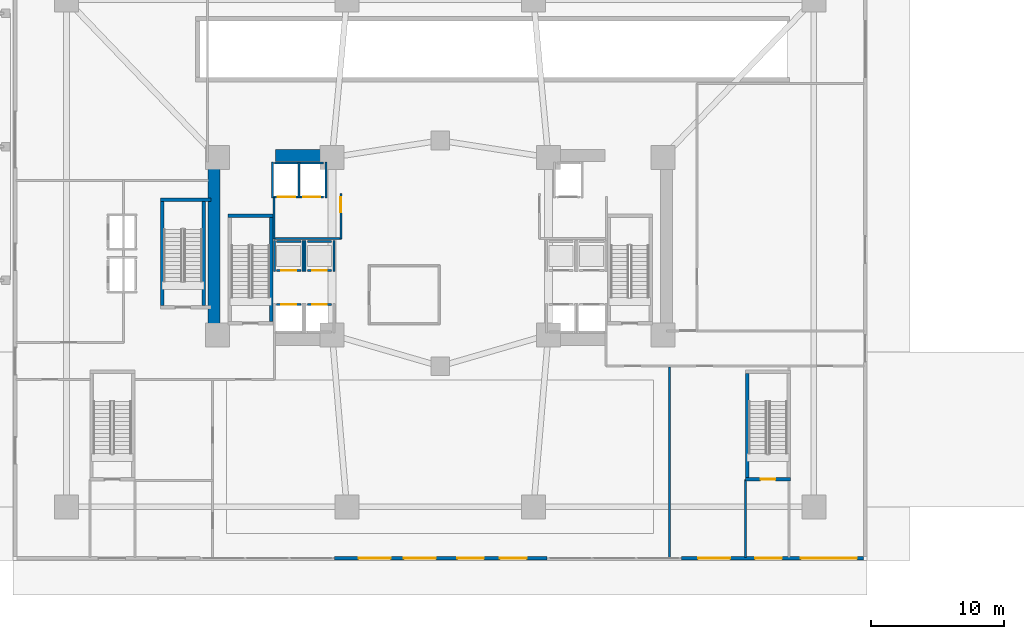
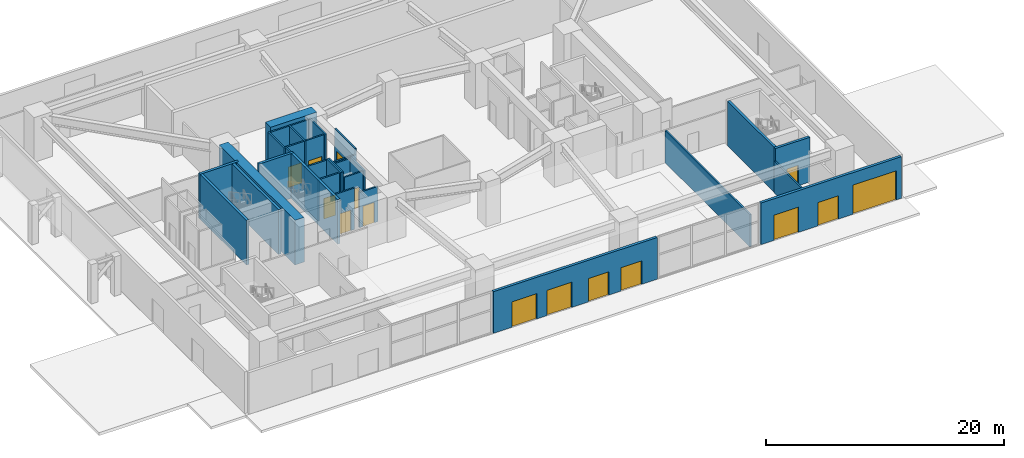
# One storey, part 10 of 18: 33 walls, 15 doors, 15 openings.
"""IFC4 building model written with IfcOpenShell, lengths in metres."""

from ifc_helpers import new_model, si_unit, direction, frame, frame_2d, origin, place, context, subcontext, project, spatial, rectangle, extrude, material, layer, layer_set, type_object, element, fill, save


model = new_model("IFC4")

# Units and contexts
model_context = context("Model", 3, precision=1e-05, world=origin(), true_north=direction((0.0, 1.0)))
body_context = subcontext(model_context, "Body", "Model", "MODEL_VIEW")
ifc_project = project(units=[si_unit("LENGTHUNIT", "METRE"), si_unit("AREAUNIT", "SQUARE_METRE"), si_unit("VOLUMEUNIT", "CUBIC_METRE"), si_unit("PLANEANGLEUNIT", "RADIAN"), si_unit("MASSUNIT", "GRAM", prefix="KILO")], contexts=[model_context])

# Site, building, storey
site_placement = place(None, origin())
site = spatial("IfcSite", under=ifc_project, at=site_placement, CompositionType="ELEMENT")
building_placement = place(site_placement, origin())
building = spatial("IfcBuilding", under=site, at=building_placement, Name="Solvane Sanctuary Tower", CompositionType="ELEMENT")
storey_placement = place(building_placement, origin())
storey = spatial("IfcBuildingStorey", under=building, at=storey_placement, Name="L01", CompositionType="ELEMENT", Elevation=0.0)

# Walls
ifc_material_1 = material(Name="Concrete C70/85", Category="concrete")
ifc_layer_1 = layer(ifc_material_1, 0.89990234375, Name="Concrete C70/85")
ifc_layer_set_1 = layer_set([ifc_layer_1], Name="Concrete C70/85")
wall_type_1 = type_object("IfcWallType", Name="Wall W-CORE-900", PredefinedType="SHEAR", material=ifc_layer_set_1)
wall_1_placement = place(storey_placement, frame((15.050048828125, 17.050048828125, 0.0), z_axis=(0.0, 0.0, 1.0), x_axis=(0.0, 1.0, 0.0)))
element("IfcWall", 1, at=wall_1_placement, inside=storey, type_object=wall_type_1, Name="L01 Core Shear Wall WC-W", PredefinedType="SHEAR", context=body_context, shape_type="SweptSolid", body=[
    extrude(rectangle(XDim=12.800048828125, YDim=0.89990234375, at=frame_2d((6.39990234375, 0.0))), origin(), (0.0, 0.0, 1.0), 4.60009765625),
])
wall_2_placement = place(storey_placement, frame((19.64990234375, 30.35009765625, 0.0), z_axis=(0.0, 0.0, 1.0), x_axis=(1.0, 0.0, 0.0)))
element("IfcWall", 2, at=wall_2_placement, inside=storey, type_object=wall_type_1, Name="L01 Core Shear Wall WC-N", PredefinedType="SHEAR", context=body_context, shape_type="SweptSolid", body=[
    extrude(rectangle(XDim=4.5, YDim=0.89990234375, at=frame_2d((2.25, 0.0))), origin(), (0.0, 0.0, 1.0), 4.60009765625),
])
ifc_material_2 = material(Name="Acoustic Gypsum Partition Board")
ifc_layer_2 = layer(ifc_material_2, 0.14990234375, Name="Acoustic Gypsum Partition Board")
ifc_layer_set_2 = layer_set([ifc_layer_2], Name="Acoustic Gypsum Partition Board")
wall_type_2 = type_object("IfcWallType", Name="Wall W-CORR-150", PredefinedType="PARTITIONING", material=ifc_layer_set_2)
wall_3_placement = place(storey_placement, frame((19.52001953125, 24.1201171875, 0.0), z_axis=(0.0, 0.0, 1.0), x_axis=(1.0, 0.0, 0.0)))
element("IfcWall", 3, at=wall_3_placement, inside=storey, type_object=wall_type_2, Name="L01 West Firefighting Lobby South Wall", PredefinedType="PARTITIONING", context=body_context, shape_type="SweptSolid", body=[
    extrude(rectangle(XDim=5.080078125, YDim=0.14990234375, at=frame_2d((2.5400390625, 0.0))), origin(), (0.0, 0.0, 1.0), 3.6201171875),
])
wall_4_placement = place(storey_placement, frame((19.550048828125, 24.080078125, 0.0), z_axis=(0.0, 0.0, 1.0), x_axis=(0.0, 1.0, 0.0)))
element("IfcWall", 4, at=wall_4_placement, inside=storey, type_object=wall_type_2, Name="L01 West Firefighting Lobby West Wall", PredefinedType="PARTITIONING", context=body_context, shape_type="SweptSolid", body=[
    extrude(rectangle(XDim=3.199951171875, YDim=0.14990234375, at=frame_2d((1.60009765625, 0.0))), origin(), (0.0, 0.0, 1.0), 4.2548828125),
])

# Wall, opening, door
wall_5_placement = place(storey_placement, frame((24.550048828125, 24.080078125, 0.0), z_axis=(0.0, 0.0, 1.0), x_axis=(0.0, 1.0, 0.0)))
wall_5 = element("IfcWall", 5, at=wall_5_placement, inside=storey, type_object=wall_type_2, Name="L01 West Firefighting Lobby East Wall", PredefinedType="PARTITIONING", context=body_context, shape_type="SweptSolid", body=[
    extrude(rectangle(XDim=3.39990234375, YDim=0.14990234375, at=frame_2d((1.699951171875, 0.0))), origin(), (0.0, 0.0, 1.0), 4.2548828125),
])
opening_1_placement = place(wall_5_placement, frame((2.02001953125, 0.0, 0.0)))
opening_1 = element("IfcOpeningElement", 6, at=opening_1_placement, cuts=wall_5, Name="Opening D-L01-24", PredefinedType="OPENING", context=body_context, shape_type="SweptSolid", body=[
    extrude(rectangle(XDim=1.10009765625, YDim=2.10009765625, at=frame_2d((0.550048828125, 1.050048828125))), frame((0.0, 0.0849609375, 0.0), z_axis=(0.0, -1.0, 0.0), x_axis=(1.0, 0.0, 0.0)), (0.0, 0.0, 1.0), 0.169921875),
])
ifc_material_3 = material(Name="Architectural Stainless Steel 316", Category="steel")
door_type_1 = type_object("IfcDoorType", Name="Door D-FFL", OperationType="NOTDEFINED", PredefinedType="DOOR", material=ifc_material_3)
door_1_placement = place(opening_1_placement, origin())
door_1 = element("IfcDoor", 7, at=door_1_placement, inside=storey, type_object=door_type_1, Name="L01 West Firefighting Lobby Fire Door", OperationType="SINGLE_SWING_LEFT", OverallHeight=2.10009765625, OverallWidth=1.10009765625, PredefinedType="DOOR", context=body_context, shape_type="SweptSolid", body=[
    extrude(rectangle(XDim=1.10009765625, YDim=2.10009765625, at=frame_2d((0.550048828125, 1.050048828125))), frame((0.0, 0.02490234375, 0.0), z_axis=(0.0, -1.0, 0.0), x_axis=(1.0, 0.0, 0.0)), (0.0, 0.0, 1.0), 0.050048828125),
])
fill(opening_1, door_1)

# Walls
wall_6_placement = place(storey_placement, frame((49.179931640625, 0.219970703125, 0.0), z_axis=(0.0, 0.0, 1.0), x_axis=(0.0, 1.0, 0.0)))
element("IfcWall", 8, at=wall_6_placement, inside=storey, type_object=wall_type_2, Name="L01 Bookshop West Wall", PredefinedType="PARTITIONING", context=body_context, shape_type="SweptSolid", body=[
    extrude(rectangle(XDim=14.280029296875, YDim=0.14990234375, at=frame_2d((7.14013671875, 0.0))), origin(), (0.0, 0.0, 1.0), 3.300048828125),
])
wall_7_placement = place(storey_placement, frame((54.89990234375, 0.219970703125, 0.0), z_axis=(0.0, 0.0, 1.0), x_axis=(0.0, 1.0, 0.0)))
element("IfcWall", 9, at=wall_7_placement, inside=storey, type_object=wall_type_2, Name="L01 ST-5 Vestibule West Wall", PredefinedType="PARTITIONING", context=body_context, shape_type="SweptSolid", body=[
    extrude(rectangle(XDim=5.85009765625, YDim=0.14990234375, at=frame_2d((2.925048828125, 0.0))), origin(), (0.0, 0.0, 1.0), 3.300048828125),
])

# Wall, openings, doors
ifc_material_4 = material(Name="Precast concrete C40/50", Category="concrete")
ifc_layer_3 = layer(ifc_material_4, 0.260009765625, Name="Precast concrete C40/50")
ifc_layer_set_3 = layer_set([ifc_layer_3], Name="Precast concrete C40/50")
wall_type_3 = type_object("IfcWallType", Name="Wall W-EXT-250", PredefinedType="STANDARD", material=ifc_layer_set_3)
wall_8_placement = place(storey_placement, frame((24.080078125, 0.14990234375, 0.0), z_axis=(0.0, 0.0, 1.0), x_axis=(1.0, 0.0, 0.0)))
wall_8 = element("IfcWall", 10, at=wall_8_placement, inside=storey, type_object=wall_type_3, Name="L01 South Podium Facade Wall S3", PredefinedType="STANDARD", context=body_context, shape_type="SweptSolid", body=[
    extrude(rectangle(XDim=15.919921875, YDim=0.260009765625, at=frame_2d((7.9599609375, 0.0))), origin(), (0.0, 0.0, 1.0), 4.280029296875),
])
opening_2_placement = place(wall_8_placement, frame((1.800048828125, 0.0, 0.0)))
opening_2 = element("IfcOpeningElement", 11, at=opening_2_placement, cuts=wall_8, Name="Opening D-L01-03", PredefinedType="OPENING", context=body_context, shape_type="SweptSolid", body=[
    extrude(rectangle(XDim=2.39990234375, YDim=2.60009765625, at=frame_2d((1.199951171875, 1.300048828125))), frame((0.0, 0.139892578125, 0.0), z_axis=(0.0, -1.0, 0.0), x_axis=(1.0, 0.0, 0.0)), (0.0, 0.0, 1.0), 0.280029296875),
])
opening_3_placement = place(wall_8_placement, frame((5.199951171875, 0.0, 0.0)))
opening_3 = element("IfcOpeningElement", 12, at=opening_3_placement, cuts=wall_8, Name="Opening D-L01-04", PredefinedType="OPENING", context=body_context, shape_type="SweptSolid", body=[
    extrude(rectangle(XDim=2.39990234375, YDim=2.60009765625, at=frame_2d((1.199951171875, 1.300048828125))), frame((0.0, 0.139892578125, 0.0), z_axis=(0.0, -1.0, 0.0), x_axis=(1.0, 0.0, 0.0)), (0.0, 0.0, 1.0), 0.280029296875),
])
opening_4_placement = place(wall_8_placement, frame((9.199951171875, 0.0, 0.0)))
opening_4 = element("IfcOpeningElement", 13, at=opening_4_placement, cuts=wall_8, Name="Opening D-L01-05", PredefinedType="OPENING", context=body_context, shape_type="SweptSolid", body=[
    extrude(rectangle(XDim=2.0, YDim=2.39990234375, at=frame_2d((1.0, 1.199951171875))), frame((0.0, 0.139892578125, 0.0), z_axis=(0.0, -1.0, 0.0), x_axis=(1.0, 0.0, 0.0)), (0.0, 0.0, 1.0), 0.280029296875),
])
opening_5_placement = place(wall_8_placement, frame((12.39990234375, 0.0, 0.0)))
opening_5 = element("IfcOpeningElement", 14, at=opening_5_placement, cuts=wall_8, Name="Opening D-L01-06", PredefinedType="OPENING", context=body_context, shape_type="SweptSolid", body=[
    extrude(rectangle(XDim=2.0, YDim=2.39990234375, at=frame_2d((1.0, 1.199951171875))), frame((0.0, 0.139892578125, 0.0), z_axis=(0.0, -1.0, 0.0), x_axis=(1.0, 0.0, 0.0)), (0.0, 0.0, 1.0), 0.280029296875),
])
ifc_material_5 = material(Name="Anodised Aluminium 6063-T6", Category="aluminium")
door_type_2 = type_object("IfcDoorType", Name="Door D-ENTRY-2400", OperationType="NOTDEFINED", PredefinedType="DOOR", material=ifc_material_5)
door_2_placement = place(opening_2_placement, frame((2.39990234375, 0.0, 0.0), z_axis=(0.0, 0.0, 1.0), x_axis=(-1.0, 0.0, 0.0)))
door_2 = element("IfcDoor", 15, at=door_2_placement, inside=storey, type_object=door_type_2, Name="L01 Main Arrival Entrance Door 1", OperationType="SINGLE_SWING_LEFT", OverallHeight=2.60009765625, OverallWidth=2.39990234375, PredefinedType="DOOR", context=body_context, shape_type="SweptSolid", body=[
    extrude(rectangle(XDim=2.39990234375, YDim=2.60009765625, at=frame_2d((1.199951171875, 1.300048828125))), frame((0.0, 0.02490234375, 0.0), z_axis=(0.0, -1.0, 0.0), x_axis=(1.0, 0.0, 0.0)), (0.0, 0.0, 1.0), 0.050048828125),
])
fill(opening_2, door_2)
door_3_placement = place(opening_3_placement, frame((2.39990234375, 0.0, 0.0), z_axis=(0.0, 0.0, 1.0), x_axis=(-1.0, 0.0, 0.0)))
door_3 = element("IfcDoor", 16, at=door_3_placement, inside=storey, type_object=door_type_2, Name="L01 Main Arrival Entrance Door 2", OperationType="SINGLE_SWING_RIGHT", OverallHeight=2.60009765625, OverallWidth=2.39990234375, PredefinedType="DOOR", context=body_context, shape_type="SweptSolid", body=[
    extrude(rectangle(XDim=2.39990234375, YDim=2.60009765625, at=frame_2d((1.199951171875, 1.300048828125))), frame((0.0, 0.02490234375, 0.0), z_axis=(0.0, -1.0, 0.0), x_axis=(1.0, 0.0, 0.0)), (0.0, 0.0, 1.0), 0.050048828125),
])
fill(opening_3, door_3)
door_type_3 = type_object("IfcDoorType", Name="Door D-EXIT-2000", OperationType="NOTDEFINED", PredefinedType="DOOR", material=ifc_material_5)
door_4_placement = place(opening_4_placement, frame((2.0, 0.0, 0.0), z_axis=(0.0, 0.0, 1.0), x_axis=(-1.0, 0.0, 0.0)))
door_4 = element("IfcDoor", 17, at=door_4_placement, inside=storey, type_object=door_type_3, Name="L01 South Concourse Pedestrian Exit Door 1", OperationType="SINGLE_SWING_LEFT", OverallHeight=2.39990234375, OverallWidth=2.0, PredefinedType="DOOR", context=body_context, shape_type="SweptSolid", body=[
    extrude(rectangle(XDim=2.0, YDim=2.39990234375, at=frame_2d((1.0, 1.199951171875))), frame((0.0, 0.02490234375, 0.0), z_axis=(0.0, -1.0, 0.0), x_axis=(1.0, 0.0, 0.0)), (0.0, 0.0, 1.0), 0.050048828125),
])
fill(opening_4, door_4)
door_5_placement = place(opening_5_placement, frame((2.0, 0.0, 0.0), z_axis=(0.0, 0.0, 1.0), x_axis=(-1.0, 0.0, 0.0)))
door_5 = element("IfcDoor", 18, at=door_5_placement, inside=storey, type_object=door_type_3, Name="L01 South Concourse Pedestrian Exit Door 2", OperationType="SINGLE_SWING_RIGHT", OverallHeight=2.39990234375, OverallWidth=2.0, PredefinedType="DOOR", context=body_context, shape_type="SweptSolid", body=[
    extrude(rectangle(XDim=2.0, YDim=2.39990234375, at=frame_2d((1.0, 1.199951171875))), frame((0.0, 0.02490234375, 0.0), z_axis=(0.0, -1.0, 0.0), x_axis=(1.0, 0.0, 0.0)), (0.0, 0.0, 1.0), 0.050048828125),
])
fill(opening_5, door_5)

wall_9_placement = place(storey_placement, frame((50.080078125, 0.14990234375, 0.0), z_axis=(0.0, 0.0, 1.0), x_axis=(1.0, 0.0, 0.0)))
wall_9 = element("IfcWall", 19, at=wall_9_placement, inside=storey, type_object=wall_type_3, Name="L01 South Podium Facade Wall S5", PredefinedType="STANDARD", context=body_context, shape_type="SweptSolid", body=[
    extrude(rectangle(XDim=13.639892578125, YDim=0.260009765625, at=frame_2d((6.81982421875, 0.0))), origin(), (0.0, 0.0, 1.0), 4.280029296875),
])
opening_6_placement = place(wall_9_placement, frame((1.25, 0.0, 0.0)))
opening_6 = element("IfcOpeningElement", 20, at=opening_6_placement, cuts=wall_9, Name="Opening D-L01-07", PredefinedType="OPENING", context=body_context, shape_type="SweptSolid", body=[
    extrude(rectangle(XDim=2.39990234375, YDim=2.60009765625, at=frame_2d((1.199951171875, 1.300048828125))), frame((0.0, 0.139892578125, 0.0), z_axis=(0.0, -1.0, 0.0), x_axis=(1.0, 0.0, 0.0)), (0.0, 0.0, 1.0), 0.280029296875),
])
opening_7_placement = place(wall_9_placement, frame((5.52001953125, 0.0, 0.0)))
opening_7 = element("IfcOpeningElement", 21, at=opening_7_placement, cuts=wall_9, Name="Opening D-L01-08", PredefinedType="OPENING", context=body_context, shape_type="SweptSolid", body=[
    extrude(rectangle(XDim=2.0, YDim=2.39990234375, at=frame_2d((1.0, 1.199951171875))), frame((0.0, 0.139892578125, 0.0), z_axis=(0.0, -1.0, 0.0), x_axis=(1.0, 0.0, 0.0)), (0.0, 0.0, 1.0), 0.280029296875),
])
opening_8_placement = place(wall_9_placement, frame((8.949951171875, 0.0, 0.0)))
opening_8 = element("IfcOpeningElement", 22, at=opening_8_placement, cuts=wall_9, Name="Opening D-L01-09", PredefinedType="OPENING", context=body_context, shape_type="SweptSolid", body=[
    extrude(rectangle(XDim=4.199951171875, YDim=3.0, at=frame_2d((2.10009765625, 1.5))), frame((0.0, 0.139892578125, 0.0), z_axis=(0.0, -1.0, 0.0), x_axis=(1.0, 0.0, 0.0)), (0.0, 0.0, 1.0), 0.280029296875),
])
door_6_placement = place(opening_6_placement, frame((2.39990234375, 0.0, 0.0), z_axis=(0.0, 0.0, 1.0), x_axis=(-1.0, 0.0, 0.0)))
door_6 = element("IfcDoor", 23, at=door_6_placement, inside=storey, type_object=door_type_2, Name="L01 Bookshop Street Entrance Door", OperationType="SINGLE_SWING_LEFT", OverallHeight=2.60009765625, OverallWidth=2.39990234375, PredefinedType="DOOR", context=body_context, shape_type="SweptSolid", body=[
    extrude(rectangle(XDim=2.39990234375, YDim=2.60009765625, at=frame_2d((1.199951171875, 1.300048828125))), frame((0.0, 0.02490234375, 0.0), z_axis=(0.0, -1.0, 0.0), x_axis=(1.0, 0.0, 0.0)), (0.0, 0.0, 1.0), 0.050048828125),
])
fill(opening_6, door_6)
door_7_placement = place(opening_7_placement, frame((2.0, 0.0, 0.0), z_axis=(0.0, 0.0, 1.0), x_axis=(-1.0, 0.0, 0.0)))
door_7 = element("IfcDoor", 24, at=door_7_placement, inside=storey, type_object=door_type_3, Name="L01 East Stair ST-5 Protected Discharge Exit Door", OperationType="SINGLE_SWING_RIGHT", OverallHeight=2.39990234375, OverallWidth=2.0, PredefinedType="DOOR", context=body_context, shape_type="SweptSolid", body=[
    extrude(rectangle(XDim=2.0, YDim=2.39990234375, at=frame_2d((1.0, 1.199951171875))), frame((0.0, 0.02490234375, 0.0), z_axis=(0.0, -1.0, 0.0), x_axis=(1.0, 0.0, 0.0)), (0.0, 0.0, 1.0), 0.050048828125),
])
fill(opening_7, door_7)
door_type_4 = type_object("IfcDoorType", Name="Door D-GATE-4200", OperationType="NOTDEFINED", PredefinedType="GATE", material=ifc_material_3)
door_8_placement = place(opening_8_placement, origin())
door_8 = element("IfcDoor", 25, at=door_8_placement, inside=storey, type_object=door_type_4, Name="L01 South Plaza Metro Portal Gate", OperationType="SLIDING_TO_LEFT", OverallHeight=3.0, OverallWidth=4.199951171875, PredefinedType="GATE", context=body_context, shape_type="SweptSolid", body=[
    extrude(rectangle(XDim=4.199951171875, YDim=3.0, at=frame_2d((2.10009765625, 1.5))), frame((0.0, 0.02490234375, 0.0), z_axis=(0.0, -1.0, 0.0), x_axis=(1.0, 0.0, 0.0)), (0.0, 0.0, 1.0), 0.050048828125),
])
fill(opening_8, door_8)

# Wall, opening, door
ifc_material_6 = material(Name="Concrete C50/60", Category="concrete")
ifc_layer_4 = layer(ifc_material_6, 0.14990234375, Name="Concrete C50/60")
ifc_layer_set_4 = layer_set([ifc_layer_4], Name="Concrete C50/60")
wall_type_4 = type_object("IfcWallType", Name="Wall W-SHAFT-150", PredefinedType="SOLIDWALL", material=ifc_layer_set_4)
wall_10_placement = place(storey_placement, frame((19.739990234375, 19.159912109375, 0.0), z_axis=(0.0, 0.0, 1.0), x_axis=(1.0, 0.0, 0.0)))
wall_10 = element("IfcWall", 26, at=wall_10_placement, inside=storey, type_object=wall_type_4, Name="L01 PL-1 Lift Shaft Wall F", PredefinedType="SOLIDWALL", context=body_context, shape_type="SweptSolid", body=[
    extrude(rectangle(XDim=1.820068359375, YDim=0.14990234375, at=frame_2d((0.91015625, 0.0))), origin(), (0.0, 0.0, 1.0), 4.2548828125),
])
opening_9_placement = place(wall_10_placement, frame((0.360107421875, 0.0, 0.0)))
opening_9 = element("IfcOpeningElement", 27, at=opening_9_placement, cuts=wall_10, Name="Opening LD-L01-01", PredefinedType="OPENING", context=body_context, shape_type="SweptSolid", body=[
    extrude(rectangle(XDim=1.10009765625, YDim=2.10009765625, at=frame_2d((0.550048828125, 1.050048828125))), frame((0.0, 0.0849609375, 0.0), z_axis=(0.0, -1.0, 0.0), x_axis=(1.0, 0.0, 0.0)), (0.0, 0.0, 1.0), 0.169921875),
])
door_type_5 = type_object("IfcDoorType", Name="Door LD-PASS-1100", OperationType="NOTDEFINED", PredefinedType="DOOR", material=ifc_material_3)
door_9_placement = place(opening_9_placement, origin())
door_9 = element("IfcDoor", 28, at=door_9_placement, inside=storey, type_object=door_type_5, Name="L01 PL-1 Lift Landing Door", OperationType="DOUBLE_DOOR_SLIDING", OverallHeight=2.10009765625, OverallWidth=1.10009765625, PredefinedType="DOOR", context=body_context, shape_type="SweptSolid", body=[
    extrude(rectangle(XDim=1.10009765625, YDim=2.10009765625, at=frame_2d((0.550048828125, 1.050048828125))), frame((0.0, 0.02490234375, 0.0), z_axis=(0.0, -1.0, 0.0), x_axis=(1.0, 0.0, 0.0)), (0.0, 0.0, 1.0), 0.050048828125),
])
fill(opening_9, door_9)

wall_11_placement = place(storey_placement, frame((22.0400390625, 19.159912109375, 0.0), z_axis=(0.0, 0.0, 1.0), x_axis=(1.0, 0.0, 0.0)))
wall_11 = element("IfcWall", 29, at=wall_11_placement, inside=storey, type_object=wall_type_4, Name="L01 PL-2 Lift Shaft Wall F", PredefinedType="SOLIDWALL", context=body_context, shape_type="SweptSolid", body=[
    extrude(rectangle(XDim=1.820068359375, YDim=0.14990234375, at=frame_2d((0.91015625, 0.0))), origin(), (0.0, 0.0, 1.0), 3.6201171875),
])
opening_10_placement = place(wall_11_placement, frame((0.360107421875, 0.0, 0.0)))
opening_10 = element("IfcOpeningElement", 30, at=opening_10_placement, cuts=wall_11, Name="Opening LD-L01-02", PredefinedType="OPENING", context=body_context, shape_type="SweptSolid", body=[
    extrude(rectangle(XDim=1.10009765625, YDim=2.10009765625, at=frame_2d((0.550048828125, 1.050048828125))), frame((0.0, 0.0849609375, 0.0), z_axis=(0.0, -1.0, 0.0), x_axis=(1.0, 0.0, 0.0)), (0.0, 0.0, 1.0), 0.169921875),
])
door_10_placement = place(opening_10_placement, origin())
door_10 = element("IfcDoor", 31, at=door_10_placement, inside=storey, type_object=door_type_5, Name="L01 PL-2 Lift Landing Door", OperationType="DOUBLE_DOOR_SLIDING", OverallHeight=2.10009765625, OverallWidth=1.10009765625, PredefinedType="DOOR", context=body_context, shape_type="SweptSolid", body=[
    extrude(rectangle(XDim=1.10009765625, YDim=2.10009765625, at=frame_2d((0.550048828125, 1.050048828125))), frame((0.0, 0.02490234375, 0.0), z_axis=(0.0, -1.0, 0.0), x_axis=(1.0, 0.0, 0.0)), (0.0, 0.0, 1.0), 0.050048828125),
])
fill(opening_10, door_10)

wall_12_placement = place(storey_placement, frame((19.739990234375, 21.719970703125, 0.0), z_axis=(0.0, 0.0, 1.0), x_axis=(1.0, 0.0, 0.0)))
wall_12 = element("IfcWall", 32, at=wall_12_placement, inside=storey, type_object=wall_type_4, Name="L01 PM-1 Lift Shaft Wall F", PredefinedType="SOLIDWALL", context=body_context, shape_type="SweptSolid", body=[
    extrude(rectangle(XDim=1.820068359375, YDim=0.14990234375, at=frame_2d((0.91015625, 0.0))), origin(), (0.0, 0.0, 1.0), 4.2548828125),
])
opening_11_placement = place(wall_12_placement, frame((0.360107421875, 0.0, 0.0)))
opening_11 = element("IfcOpeningElement", 33, at=opening_11_placement, cuts=wall_12, Name="Opening LD-L01-05", PredefinedType="OPENING", context=body_context, shape_type="SweptSolid", body=[
    extrude(rectangle(XDim=1.10009765625, YDim=2.10009765625, at=frame_2d((0.550048828125, 1.050048828125))), frame((0.0, 0.0849609375, 0.0), z_axis=(0.0, -1.0, 0.0), x_axis=(1.0, 0.0, 0.0)), (0.0, 0.0, 1.0), 0.169921875),
])
door_11_placement = place(opening_11_placement, origin())
door_11 = element("IfcDoor", 34, at=door_11_placement, inside=storey, type_object=door_type_5, Name="L01 PM-1 Lift Landing Door", OperationType="DOUBLE_DOOR_SLIDING", OverallHeight=2.10009765625, OverallWidth=1.10009765625, PredefinedType="DOOR", context=body_context, shape_type="SweptSolid", body=[
    extrude(rectangle(XDim=1.10009765625, YDim=2.10009765625, at=frame_2d((0.550048828125, 1.050048828125))), frame((0.0, 0.02490234375, 0.0), z_axis=(0.0, -1.0, 0.0), x_axis=(1.0, 0.0, 0.0)), (0.0, 0.0, 1.0), 0.050048828125),
])
fill(opening_11, door_11)

# Walls
wall_13_placement = place(storey_placement, frame((19.739990234375, 23.8798828125, 0.0), z_axis=(0.0, 0.0, 1.0), x_axis=(1.0, 0.0, 0.0)))
element("IfcWall", 35, at=wall_13_placement, inside=storey, type_object=wall_type_4, Name="L01 PM-1 Lift Shaft Wall B", PredefinedType="SOLIDWALL", context=body_context, shape_type="SweptSolid", body=[
    extrude(rectangle(XDim=1.820068359375, YDim=0.14990234375, at=frame_2d((0.91015625, 0.0))), origin(), (0.0, 0.0, 1.0), 4.2548828125),
])
for number, where, z_axis, x_axis, name in (
    (36, (19.570068359375, 21.639892578125, 0.0), (0.0, 0.0, 1.0), (0.0, 1.0, 0.0), "L01 PM-1 Lift Shaft Wall S1"),
    (37, (21.72998046875, 21.639892578125, 0.0), (0.0, 0.0, 1.0), (0.0, 1.0, 0.0), "L01 PM-1 Lift Shaft Wall S2"),
):
    element("IfcWall", number, at=place(storey_placement, frame(where, z_axis=z_axis, x_axis=x_axis)), inside=storey, type_object=wall_type_4, Name=name, PredefinedType="SOLIDWALL", context=body_context, shape_type="SweptSolid", body=[
        extrude(rectangle(XDim=2.320068359375, YDim=0.14990234375, at=frame_2d((1.16015625, 0.0))), origin(), (0.0, 0.0, 1.0), 4.2548828125),
    ])

# Wall, opening, door
wall_14_placement = place(storey_placement, frame((22.0400390625, 21.719970703125, 0.0), z_axis=(0.0, 0.0, 1.0), x_axis=(1.0, 0.0, 0.0)))
wall_14 = element("IfcWall", 38, at=wall_14_placement, inside=storey, type_object=wall_type_4, Name="L01 PH-1 Lift Shaft Wall F", PredefinedType="SOLIDWALL", context=body_context, shape_type="SweptSolid", body=[
    extrude(rectangle(XDim=1.820068359375, YDim=0.14990234375, at=frame_2d((0.91015625, 0.0))), origin(), (0.0, 0.0, 1.0), 3.6201171875),
])
opening_12_placement = place(wall_14_placement, frame((0.360107421875, 0.0, 0.0)))
opening_12 = element("IfcOpeningElement", 39, at=opening_12_placement, cuts=wall_14, Name="Opening LD-L01-07", PredefinedType="OPENING", context=body_context, shape_type="SweptSolid", body=[
    extrude(rectangle(XDim=1.10009765625, YDim=2.10009765625, at=frame_2d((0.550048828125, 1.050048828125))), frame((0.0, 0.0849609375, 0.0), z_axis=(0.0, -1.0, 0.0), x_axis=(1.0, 0.0, 0.0)), (0.0, 0.0, 1.0), 0.169921875),
])
door_12_placement = place(opening_12_placement, origin())
door_12 = element("IfcDoor", 40, at=door_12_placement, inside=storey, type_object=door_type_5, Name="L01 PH-1 Lift Landing Door", OperationType="DOUBLE_DOOR_SLIDING", OverallHeight=2.10009765625, OverallWidth=1.10009765625, PredefinedType="DOOR", context=body_context, shape_type="SweptSolid", body=[
    extrude(rectangle(XDim=1.10009765625, YDim=2.10009765625, at=frame_2d((0.550048828125, 1.050048828125))), frame((0.0, 0.02490234375, 0.0), z_axis=(0.0, -1.0, 0.0), x_axis=(1.0, 0.0, 0.0)), (0.0, 0.0, 1.0), 0.050048828125),
])
fill(opening_12, door_12)

# Walls
wall_15_placement = place(storey_placement, frame((22.0400390625, 23.8798828125, 0.0), z_axis=(0.0, 0.0, 1.0), x_axis=(1.0, 0.0, 0.0)))
element("IfcWall", 41, at=wall_15_placement, inside=storey, type_object=wall_type_4, Name="L01 PH-1 Lift Shaft Wall B", PredefinedType="SOLIDWALL", context=body_context, shape_type="SweptSolid", body=[
    extrude(rectangle(XDim=1.820068359375, YDim=0.14990234375, at=frame_2d((0.91015625, 0.0))), origin(), (0.0, 0.0, 1.0), 3.6201171875),
])
wall_16_placement = place(storey_placement, frame((21.8701171875, 21.639892578125, 0.0), z_axis=(0.0, 0.0, 1.0), x_axis=(0.0, 1.0, 0.0)))
element("IfcWall", 42, at=wall_16_placement, inside=storey, type_object=wall_type_4, Name="L01 PH-1 Lift Shaft Wall S1", PredefinedType="SOLIDWALL", context=body_context, shape_type="SweptSolid", body=[
    extrude(rectangle(XDim=2.320068359375, YDim=0.14990234375, at=frame_2d((1.16015625, 0.0))), origin(), (0.0, 0.0, 1.0), 4.2548828125),
])
wall_17_placement = place(storey_placement, frame((24.030029296875, 21.639892578125, 0.0), z_axis=(0.0, 0.0, 1.0), x_axis=(0.0, 1.0, 0.0)))
element("IfcWall", 43, at=wall_17_placement, inside=storey, type_object=wall_type_4, Name="L01 PH-1 Lift Shaft Wall S2", PredefinedType="SOLIDWALL", context=body_context, shape_type="SweptSolid", body=[
    extrude(rectangle(XDim=2.320068359375, YDim=0.14990234375, at=frame_2d((1.16015625, 0.0))), origin(), (0.0, 0.0, 1.0), 3.6201171875),
])

# Wall, opening, door
wall_18_placement = place(storey_placement, frame((19.590087890625, 27.219970703125, 0.0), z_axis=(0.0, 0.0, 1.0), x_axis=(1.0, 0.0, 0.0)))
wall_18 = element("IfcWall", 44, at=wall_18_placement, inside=storey, type_object=wall_type_4, Name="L01 FFL-1 Lift Shaft Wall F", PredefinedType="SOLIDWALL", context=body_context, shape_type="SweptSolid", body=[
    extrude(rectangle(XDim=1.760009765625, YDim=0.14990234375, at=frame_2d((0.8798828125, 0.0))), origin(), (0.0, 0.0, 1.0), 4.2548828125),
])
opening_13_placement = place(wall_18_placement, frame((0.22998046875, 0.0, 0.0)))
opening_13 = element("IfcOpeningElement", 45, at=opening_13_placement, cuts=wall_18, Name="Opening LD-L01-09", PredefinedType="OPENING", context=body_context, shape_type="SweptSolid", body=[
    extrude(rectangle(XDim=1.300048828125, YDim=2.10009765625, at=frame_2d((0.64990234375, 1.050048828125))), frame((0.0, 0.0849609375, 0.0), z_axis=(0.0, -1.0, 0.0), x_axis=(1.0, 0.0, 0.0)), (0.0, 0.0, 1.0), 0.169921875),
])
door_type_6 = type_object("IfcDoorType", Name="Door LD-FFL-1300", OperationType="NOTDEFINED", PredefinedType="DOOR", material=ifc_material_3)
door_13_placement = place(opening_13_placement, origin())
door_13 = element("IfcDoor", 46, at=door_13_placement, inside=storey, type_object=door_type_6, Name="L01 FFL-1 Lift Landing Door", OperationType="DOUBLE_DOOR_SLIDING", OverallHeight=2.10009765625, OverallWidth=1.300048828125, PredefinedType="DOOR", context=body_context, shape_type="SweptSolid", body=[
    extrude(rectangle(XDim=1.300048828125, YDim=2.10009765625, at=frame_2d((0.64990234375, 1.050048828125))), frame((0.0, 0.02490234375, 0.0), z_axis=(0.0, -1.0, 0.0), x_axis=(1.0, 0.0, 0.0)), (0.0, 0.0, 1.0), 0.050048828125),
])
fill(opening_13, door_13)

# Walls
wall_19_placement = place(storey_placement, frame((19.590087890625, 29.780029296875, 0.0), z_axis=(0.0, 0.0, 1.0), x_axis=(1.0, 0.0, 0.0)))
element("IfcWall", 47, at=wall_19_placement, inside=storey, type_object=wall_type_4, Name="L01 FFL-1 Lift Shaft Wall B", PredefinedType="SOLIDWALL", context=body_context, shape_type="SweptSolid", body=[
    extrude(rectangle(XDim=1.760009765625, YDim=0.14990234375, at=frame_2d((0.8798828125, 0.0))), origin(), (0.0, 0.0, 1.0), 4.2548828125),
])
for number, where, z_axis, x_axis, name in (
    (48, (19.419921875, 27.139892578125, 0.0), (0.0, 0.0, 1.0), (0.0, 1.0, 0.0), "L01 FFL-1 Lift Shaft Wall S1"),
    (49, (21.425048828125, 27.139892578125, 0.0), (0.0, 0.0, 1.0), (0.0, 1.0, 0.0), "L01 FFL-1 Lift Shaft Wall S2"),
):
    element("IfcWall", number, at=place(storey_placement, frame(where, z_axis=z_axis, x_axis=x_axis)), inside=storey, type_object=wall_type_4, Name=name, PredefinedType="SOLIDWALL", context=body_context, shape_type="SweptSolid", body=[
        extrude(rectangle(XDim=2.72021484375, YDim=0.14990234375, at=frame_2d((1.360107421875, 0.0))), origin(), (0.0, 0.0, 1.0), 4.2548828125),
    ])

# Wall, opening, door
wall_20_placement = place(storey_placement, frame((21.5, 27.219970703125, 0.0), z_axis=(0.0, 0.0, 1.0), x_axis=(1.0, 0.0, 0.0)))
wall_20 = element("IfcWall", 50, at=wall_20_placement, inside=storey, type_object=wall_type_4, Name="L01 SVL-1 Lift Shaft Wall F", PredefinedType="SOLIDWALL", context=body_context, shape_type="SweptSolid", body=[
    extrude(rectangle(XDim=1.760009765625, YDim=0.14990234375, at=frame_2d((0.8798828125, 0.0))), origin(), (0.0, 0.0, 1.0), 4.2548828125),
])
opening_14_placement = place(wall_20_placement, frame((0.22998046875, 0.0, 0.0)))
opening_14 = element("IfcOpeningElement", 51, at=opening_14_placement, cuts=wall_20, Name="Opening LD-L01-10", PredefinedType="OPENING", context=body_context, shape_type="SweptSolid", body=[
    extrude(rectangle(XDim=1.300048828125, YDim=2.10009765625, at=frame_2d((0.64990234375, 1.050048828125))), frame((0.0, 0.0849609375, 0.0), z_axis=(0.0, -1.0, 0.0), x_axis=(1.0, 0.0, 0.0)), (0.0, 0.0, 1.0), 0.169921875),
])
door_14_placement = place(opening_14_placement, origin())
door_14 = element("IfcDoor", 52, at=door_14_placement, inside=storey, type_object=door_type_6, Name="L01 SVL-1 Lift Landing Door", OperationType="DOUBLE_DOOR_SLIDING", OverallHeight=2.10009765625, OverallWidth=1.300048828125, PredefinedType="DOOR", context=body_context, shape_type="SweptSolid", body=[
    extrude(rectangle(XDim=1.300048828125, YDim=2.10009765625, at=frame_2d((0.64990234375, 1.050048828125))), frame((0.0, 0.02490234375, 0.0), z_axis=(0.0, -1.0, 0.0), x_axis=(1.0, 0.0, 0.0)), (0.0, 0.0, 1.0), 0.050048828125),
])
fill(opening_14, door_14)

# Walls
wall_21_placement = place(storey_placement, frame((21.5, 29.780029296875, 0.0), z_axis=(0.0, 0.0, 1.0), x_axis=(1.0, 0.0, 0.0)))
element("IfcWall", 53, at=wall_21_placement, inside=storey, type_object=wall_type_4, Name="L01 SVL-1 Lift Shaft Wall B", PredefinedType="SOLIDWALL", context=body_context, shape_type="SweptSolid", body=[
    extrude(rectangle(XDim=1.760009765625, YDim=0.14990234375, at=frame_2d((0.8798828125, 0.0))), origin(), (0.0, 0.0, 1.0), 4.2548828125),
])
wall_22_placement = place(storey_placement, frame((23.429931640625, 27.139892578125, 0.0), z_axis=(0.0, 0.0, 1.0), x_axis=(0.0, 1.0, 0.0)))
element("IfcWall", 54, at=wall_22_placement, inside=storey, type_object=wall_type_4, Name="L01 SVL-1 Lift Shaft Wall S2", PredefinedType="SOLIDWALL", context=body_context, shape_type="SweptSolid", body=[
    extrude(rectangle(XDim=2.72021484375, YDim=0.14990234375, at=frame_2d((1.360107421875, 0.0))), origin(), (0.0, 0.0, 1.0), 4.2548828125),
])
ifc_layer_5 = layer(ifc_material_6, 0.25, Name="Concrete C50/60")
ifc_layer_set_5 = layer_set([ifc_layer_5], Name="Concrete C50/60")
wall_type_5 = type_object("IfcWallType", Name="Wall W-SHAFT-250", PredefinedType="SOLIDWALL", material=ifc_layer_set_5)
wall_23_placement = place(storey_placement, frame((16.10498046875, 25.830078125, 0.0), z_axis=(0.0, 0.0, 1.0), x_axis=(1.0, 0.0, 0.0)))
element("IfcWall", 55, at=wall_23_placement, inside=storey, type_object=wall_type_5, Name="L01 ST-1 Load-Bearing Shaft Wall N", PredefinedType="SOLIDWALL", context=body_context, shape_type="SweptSolid", body=[
    extrude(rectangle(XDim=3.3701171875, YDim=0.25, at=frame_2d((1.68505859375, 0.0))), origin(), (0.0, 0.0, 1.0), 4.60009765625),
])
wall_24_placement = place(storey_placement, frame((19.35009765625, 17.89501953125, 0.0), z_axis=(0.0, 0.0, 1.0), x_axis=(0.0, 1.0, 0.0)))
element("IfcWall", 56, at=wall_24_placement, inside=storey, type_object=wall_type_5, Name="L01 ST-1 Load-Bearing Shaft Wall E", PredefinedType="SOLIDWALL", context=body_context, shape_type="SweptSolid", body=[
    extrude(rectangle(XDim=7.81005859375, YDim=0.25, at=frame_2d((3.905029296875, 0.0))), origin(), (0.0, 0.0, 1.0), 4.60009765625),
])
wall_25_placement = place(storey_placement, frame((11.044921875, 27.030029296875, 0.0), z_axis=(0.0, 0.0, 1.0), x_axis=(1.0, 0.0, 0.0)))
element("IfcWall", 57, at=wall_25_placement, inside=storey, type_object=wall_type_5, Name="L01 ST-3 Load-Bearing Shaft Wall N", PredefinedType="SOLIDWALL", context=body_context, shape_type="SweptSolid", body=[
    extrude(rectangle(XDim=3.781982421875, YDim=0.25, at=frame_2d((1.89111328125, 0.0))), origin(), (0.0, 0.0, 1.0), 4.60009765625),
])
for number, where, z_axis, x_axis, name in (
    (58, (11.169921875, 19.094970703125, 0.0), (0.0, 0.0, 1.0), (0.0, 1.0, 0.0), "L01 ST-3 Load-Bearing Shaft Wall W"),
    (59, (14.2900390625, 19.094970703125, 0.0), (0.0, 0.0, 1.0), (0.0, 1.0, 0.0), "L01 ST-3 Load-Bearing Shaft Wall E"),
):
    element("IfcWall", number, at=place(storey_placement, frame(where, z_axis=z_axis, x_axis=x_axis)), inside=storey, type_object=wall_type_5, Name=name, PredefinedType="SOLIDWALL", context=body_context, shape_type="SweptSolid", body=[
        extrude(rectangle(XDim=7.81005859375, YDim=0.25, at=frame_2d((3.905029296875, 0.0))), origin(), (0.0, 0.0, 1.0), 4.60009765625),
    ])

# Wall, opening, door
wall_26_placement = place(storey_placement, frame((54.885009765625, 6.070068359375, 0.0), z_axis=(0.0, 0.0, 1.0), x_axis=(1.0, 0.0, 0.0)))
wall_26 = element("IfcWall", 60, at=wall_26_placement, inside=storey, type_object=wall_type_5, Name="L01 ST-5 Load-Bearing Shaft Wall S", PredefinedType="SOLIDWALL", context=body_context, shape_type="SweptSolid", body=[
    extrude(rectangle(XDim=3.369873046875, YDim=0.25, at=frame_2d((1.68505859375, 0.0))), origin(), (0.0, 0.0, 1.0), 4.60009765625),
])
opening_15_placement = place(wall_26_placement, frame((1.135009765625, 0.0, 0.0)))
opening_15 = element("IfcOpeningElement", 61, at=opening_15_placement, cuts=wall_26, Name="Opening D-L01-23", PredefinedType="OPENING", context=body_context, shape_type="SweptSolid", body=[
    extrude(rectangle(XDim=1.10009765625, YDim=2.10009765625, at=frame_2d((0.550048828125, 1.050048828125))), frame((0.0, 0.135009765625, 0.0), z_axis=(0.0, -1.0, 0.0), x_axis=(1.0, 0.0, 0.0)), (0.0, 0.0, 1.0), 0.27001953125),
])
door_type_7 = type_object("IfcDoorType", Name="Door D-STAIR", OperationType="NOTDEFINED", PredefinedType="DOOR", material=ifc_material_3)
door_15_placement = place(opening_15_placement, origin())
door_15 = element("IfcDoor", 62, at=door_15_placement, inside=storey, type_object=door_type_7, Name="L01 ST-5 Exit Stair Fire Door", OperationType="SINGLE_SWING_LEFT", OverallHeight=2.10009765625, OverallWidth=1.10009765625, PredefinedType="DOOR", context=body_context, shape_type="SweptSolid", body=[
    extrude(rectangle(XDim=1.10009765625, YDim=2.10009765625, at=frame_2d((0.550048828125, 1.050048828125))), frame((0.0, 0.02490234375, 0.0), z_axis=(0.0, -1.0, 0.0), x_axis=(1.0, 0.0, 0.0)), (0.0, 0.0, 1.0), 0.050048828125),
])
fill(opening_15, door_15)

# Wall
wall_27_placement = place(storey_placement, frame((55.010009765625, 6.195068359375, 0.0), z_axis=(0.0, 0.0, 1.0), x_axis=(0.0, 1.0, 0.0)))
element("IfcWall", 63, at=wall_27_placement, inside=storey, type_object=wall_type_5, Name="L01 ST-5 Load-Bearing Shaft Wall W", PredefinedType="SOLIDWALL", context=body_context, shape_type="SweptSolid", body=[
    extrude(rectangle(XDim=7.809814453125, YDim=0.25, at=frame_2d((3.90478515625, 0.0))), origin(), (0.0, 0.0, 1.0), 4.60009765625),
])

save(model, "model.ifc")
